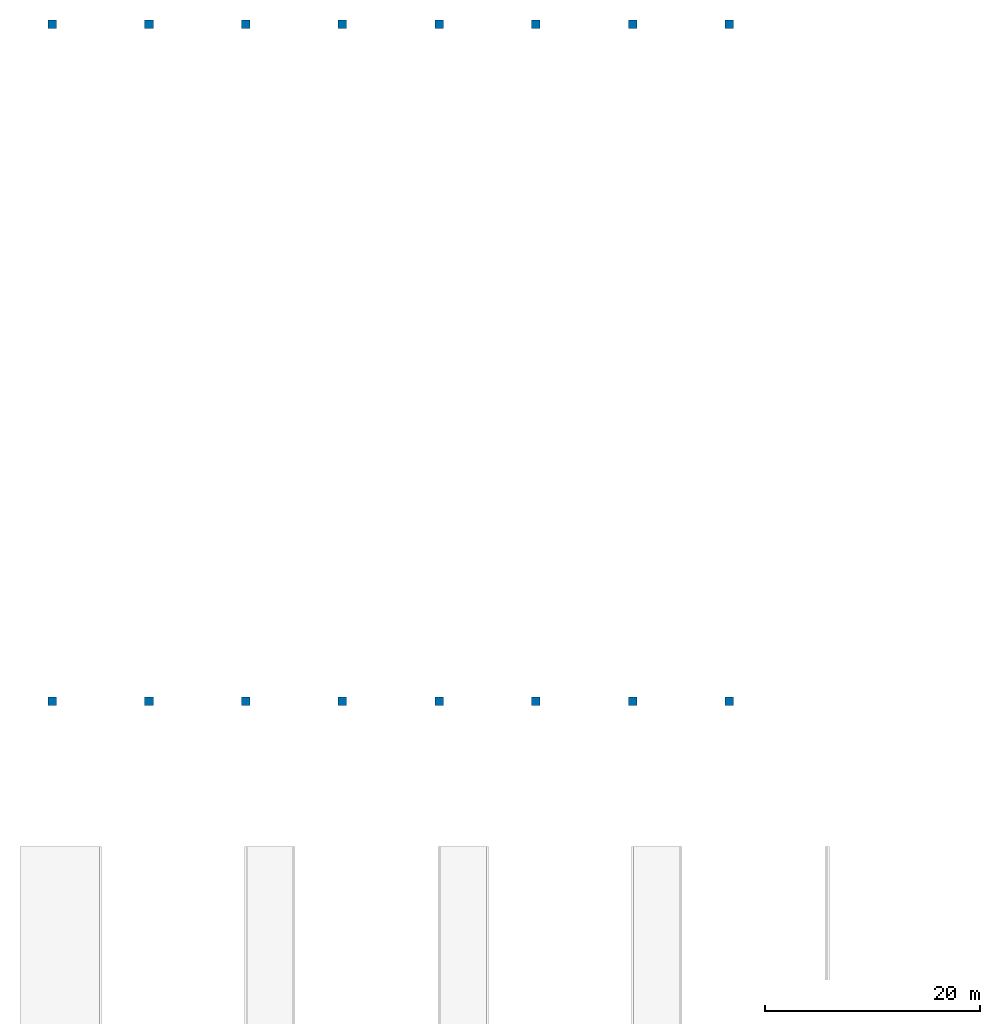
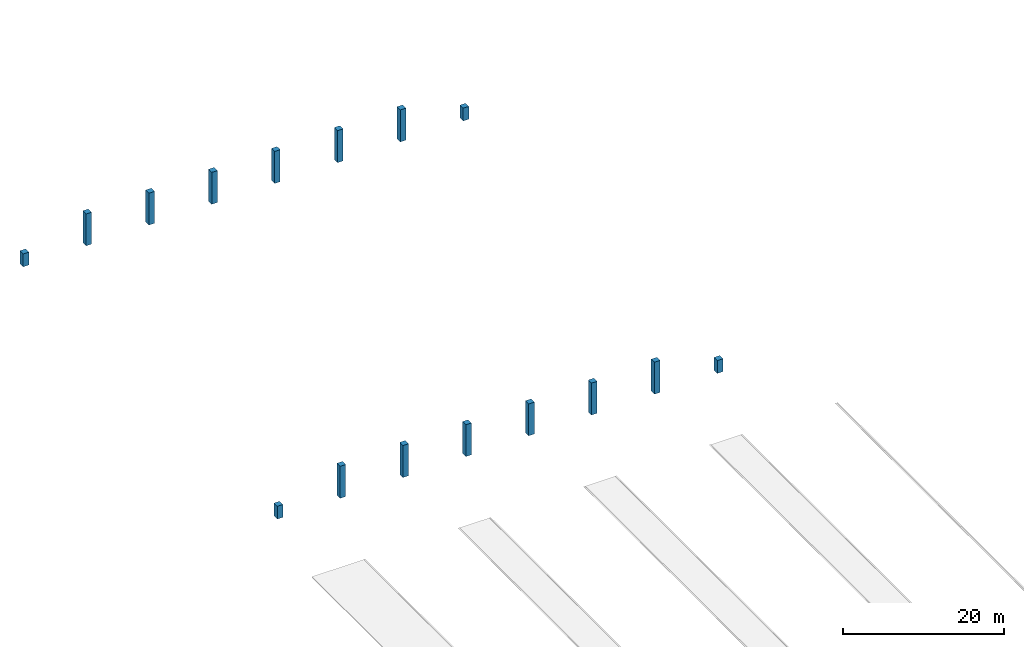
# One storey, part 1 of 15: 16 columns.
"""IFC4 building model written with IfcOpenShell, lengths in metres."""

from ifc_helpers import new_model, si_unit, direction, frame, origin, origin_2d, place, context, subcontext, project, spatial, rectangle, extrude, material, material_profile, profile_set, type_object, element, save


model = new_model("IFC4")

# Units and contexts
model_context = context("Model", 3, precision=1e-05, world=origin(), true_north=direction((0.0, 1.0)))
body_context = subcontext(model_context, "Body", "Model", "MODEL_VIEW")
ifc_project = project(units=[si_unit("LENGTHUNIT", "METRE"), si_unit("AREAUNIT", "SQUARE_METRE"), si_unit("VOLUMEUNIT", "CUBIC_METRE"), si_unit("PLANEANGLEUNIT", "RADIAN"), si_unit("MASSUNIT", "GRAM", prefix="KILO")], contexts=[model_context])

# Site, building, storey
site_placement = place(None, origin())
site = spatial("IfcSite", under=ifc_project, at=site_placement, CompositionType="ELEMENT")
building_placement = place(site_placement, origin())
building = spatial("IfcBuilding", under=site, at=building_placement, Name="Opaline Strait Convention Centre", CompositionType="ELEMENT")
storey_placement = place(building_placement, frame((0.0, 0.0, 20.10009765625)))
storey = spatial("IfcBuildingStorey", under=building, at=storey_placement, Name="Roof Restaurants and Business Centre", CompositionType="ELEMENT", Elevation=20.10009765625)

# Columns
ifc_material = material(Name="Concrete C40", Category="concrete")
ifc_material_profile = material_profile(ifc_material, rectangle(XDim=0.800048828125, YDim=0.800048828125, at=origin_2d()), Name="RC 800x800")
ifc_profile_set = profile_set([ifc_material_profile], Name="Concrete C40")
column_type = type_object("IfcColumnType", Name="RC column 800x800 C40", PredefinedType="COLUMN", material=ifc_profile_set)
column_1_placement = place(storey_placement, frame((9.0, 117.0, 0.0), z_axis=(0.0, 0.0, 1.0), x_axis=(1.0, 0.0, 0.0)))
element("IfcColumn", 1, at=column_1_placement, inside=storey, type_object=column_type, Name="XC2 L02 at 2/P above Roof Restaurants and Business Centre", PredefinedType="COLUMN", context=body_context, shape_type="SweptSolid", body=[
    extrude(rectangle(XDim=0.800048828125, YDim=0.800048828125, at=origin_2d()), origin(), (0.0, 0.0, 1.0), 1.93994140625),
])
for number, where, z_axis, x_axis, name in (
    (2, (18.0, 117.0, 0.0), (0.0, 0.0, 1.0), (1.0, 0.0, 0.0), "XC2 L02 at 3/P above Roof Restaurants and Business Centre"),
    (3, (27.0, 117.0, 0.0), (0.0, 0.0, 1.0), (1.0, 0.0, 0.0), "XC2 L02 at 4/P above Roof Restaurants and Business Centre"),
    (4, (36.0, 117.0, 0.0), (0.0, 0.0, 1.0), (1.0, 0.0, 0.0), "XC2 L02 at 5/P above Roof Restaurants and Business Centre"),
    (5, (45.0, 117.0, 0.0), (0.0, 0.0, 1.0), (1.0, 0.0, 0.0), "XC2 L02 at 6/P above Roof Restaurants and Business Centre"),
    (6, (54.0, 117.0, 0.0), (0.0, 0.0, 1.0), (1.0, 0.0, 0.0), "XC2 L02 at 7/P above Roof Restaurants and Business Centre"),
    (7, (63.0, 117.0, 0.0), (0.0, 0.0, 1.0), (1.0, 0.0, 0.0), "XC2 L02 at 8/P above Roof Restaurants and Business Centre"),
):
    element("IfcColumn", number, at=place(storey_placement, frame(where, z_axis=z_axis, x_axis=x_axis)), inside=storey, type_object=column_type, Name=name, PredefinedType="COLUMN", context=body_context, shape_type="SweptSolid", body=[
        extrude(rectangle(XDim=0.800048828125, YDim=0.800048828125, at=origin_2d()), origin(), (0.0, 0.0, 1.0), 4.8330078125),
    ])
for number, where, z_axis, x_axis, name in (
    (8, (72.0, 117.0, 0.0), (0.0, 0.0, 1.0), (1.0, 0.0, 0.0), "XC2 L02 at 9/P above Roof Restaurants and Business Centre"),
    (9, (9.0, 180.0, 0.0), (0.0, 0.0, 1.0), (1.0, 0.0, 0.0), "XC2 L02 at 2/W above Roof Restaurants and Business Centre"),
):
    element("IfcColumn", number, at=place(storey_placement, frame(where, z_axis=z_axis, x_axis=x_axis)), inside=storey, type_object=column_type, Name=name, PredefinedType="COLUMN", context=body_context, shape_type="SweptSolid", body=[
        extrude(rectangle(XDim=0.800048828125, YDim=0.800048828125, at=origin_2d()), origin(), (0.0, 0.0, 1.0), 1.93994140625),
    ])
for number, where, z_axis, x_axis, name in (
    (10, (18.0, 180.0, 0.0), (0.0, 0.0, 1.0), (1.0, 0.0, 0.0), "XC2 L02 at 3/W above Roof Restaurants and Business Centre"),
    (11, (27.0, 180.0, 0.0), (0.0, 0.0, 1.0), (1.0, 0.0, 0.0), "XC2 L02 at 4/W above Roof Restaurants and Business Centre"),
    (12, (36.0, 180.0, 0.0), (0.0, 0.0, 1.0), (1.0, 0.0, 0.0), "XC2 L02 at 5/W above Roof Restaurants and Business Centre"),
    (13, (45.0, 180.0, 0.0), (0.0, 0.0, 1.0), (1.0, 0.0, 0.0), "XC2 L02 at 6/W above Roof Restaurants and Business Centre"),
    (14, (54.0, 180.0, 0.0), (0.0, 0.0, 1.0), (1.0, 0.0, 0.0), "XC2 L02 at 7/W above Roof Restaurants and Business Centre"),
    (15, (63.0, 180.0, 0.0), (0.0, 0.0, 1.0), (1.0, 0.0, 0.0), "XC2 L02 at 8/W above Roof Restaurants and Business Centre"),
):
    element("IfcColumn", number, at=place(storey_placement, frame(where, z_axis=z_axis, x_axis=x_axis)), inside=storey, type_object=column_type, Name=name, PredefinedType="COLUMN", context=body_context, shape_type="SweptSolid", body=[
        extrude(rectangle(XDim=0.800048828125, YDim=0.800048828125, at=origin_2d()), origin(), (0.0, 0.0, 1.0), 4.8330078125),
    ])
column_2_placement = place(storey_placement, frame((72.0, 180.0, 0.0), z_axis=(0.0, 0.0, 1.0), x_axis=(1.0, 0.0, 0.0)))
element("IfcColumn", 16, at=column_2_placement, inside=storey, type_object=column_type, Name="XC2 L02 at 9/W above Roof Restaurants and Business Centre", PredefinedType="COLUMN", context=body_context, shape_type="SweptSolid", body=[
    extrude(rectangle(XDim=0.800048828125, YDim=0.800048828125, at=origin_2d()), origin(), (0.0, 0.0, 1.0), 1.93994140625),
])

save(model, "model.ifc")
